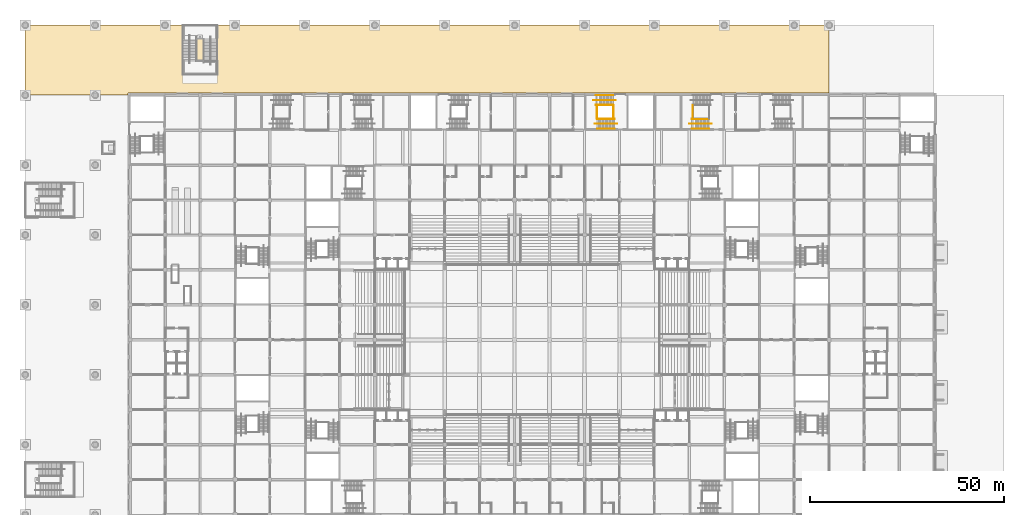
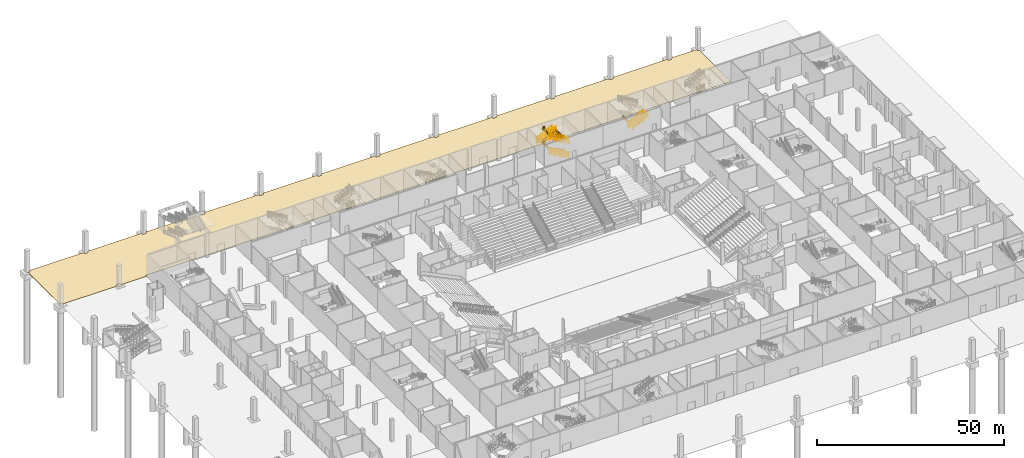
# One storey, part 88 of 92: 19 railings, 1 covering.
"""IFC4 building model written with IfcOpenShell, lengths in metres."""

import ifcopenshell
import ifcopenshell.guid

model = None  # the IFC model being written
_history = None  # IfcOwnerHistory: only IFC2X3 demands one
_inside = {}  # id of a spatial element -> (the spatial element, [elements in it])
_under = {}  # id of a project, library or spatial element -> (it, [spatial elements below it])
_declared = {}  # id of a project -> (the project, [libraries it declares])
_typed = {}  # id of a type object -> (the type object, [elements of that type])
_made_of = {}  # id of a material, layer set ... -> (it, [elements and type objects made of it])


def new_model(schema):
    """Start an empty IFC model of exactly this schema.

    Asked for "IFC4X3", IfcOpenShell would pick the latest addendum, in which some entities
    have other attributes; the version numbers below select the first issue.
    IFC2X3 requires an IfcOwnerHistory on every rooted entity: one is made here for all.
    """
    global model, _history
    if schema == "IFC4X3":
        model = ifcopenshell.file(schema_version=(4, 3, 0, 0))
    else:
        model = ifcopenshell.file(schema=schema)
    _inside.clear()
    _under.clear()
    _declared.clear()
    _typed.clear()
    _made_of.clear()
    _history = None
    if model.schema == "IFC2X3":
        org = make("IfcOrganization", Name="unknown")
        user = make(
            "IfcPersonAndOrganization",
            ThePerson=make("IfcPerson", FamilyName="unknown"),
            TheOrganization=org,
        )
        app = make(
            "IfcApplication",
            ApplicationDeveloper=org,
            Version="unknown",
            ApplicationFullName="unknown",
            ApplicationIdentifier="unknown",
        )
        _history = make(
            "IfcOwnerHistory",
            OwningUser=user,
            OwningApplication=app,
            ChangeAction="ADDED",
            CreationDate=0,
        )
    return model


def make(cls, **values):
    """One entity of the class cls with the attributes given. An attribute that is None is left unset."""
    return model.create_entity(
        cls, **{name: value for name, value in values.items() if value is not None}
    )


def rooted(cls, **values):
    """An entity with a GlobalId (a new one), such as an element, a storey or a relation."""
    return make(cls, GlobalId=ifcopenshell.guid.new(), OwnerHistory=_history, **values)


def si_unit(unit_type, name, prefix=None):
    """IfcSIUnit, for example si_unit("LENGTHUNIT", "METRE", prefix="MILLI")."""
    return make("IfcSIUnit", UnitType=unit_type, Prefix=prefix, Name=name)


def assignment(units):
    """IfcUnitAssignment: the units of a project."""
    return None if units is None else make("IfcUnitAssignment", Units=units)


def point(xyz):
    """IfcCartesianPoint."""
    return None if xyz is None else make("IfcCartesianPoint", Coordinates=xyz)


def direction(xyz):
    """IfcDirection."""
    return None if xyz is None else make("IfcDirection", DirectionRatios=xyz)


def frame(location, z_axis=None, x_axis=None):
    """IfcAxis2Placement3D, a coordinate frame: its origin and axes. An axis left out is left unset."""
    return make(
        "IfcAxis2Placement3D",
        Location=point(location),
        Axis=direction(z_axis),
        RefDirection=direction(x_axis),
    )


def frame_2d(location, x_axis=None):
    """IfcAxis2Placement2D, a coordinate frame in the plane: its origin and x axis."""
    return make(
        "IfcAxis2Placement2D", Location=point(location), RefDirection=direction(x_axis)
    )


def origin():
    """The frame at (0, 0, 0) with its axes left unset."""
    return frame((0.0, 0.0, 0.0))


def origin_2d():
    """The frame at (0, 0) in the plane with its x axis left unset."""
    return frame_2d((0.0, 0.0))


def place(relative_to, where):
    """IfcLocalPlacement: puts the frame where relative to a parent placement (None: the world)."""
    return make(
        "IfcLocalPlacement", PlacementRelTo=relative_to, RelativePlacement=where
    )


def context(
    kind, dimensions, precision=None, world=None, true_north=None, identifier=None
):
    """IfcGeometricRepresentationContext, for example the 3D "Model" context."""
    return make(
        "IfcGeometricRepresentationContext",
        ContextIdentifier=identifier,
        ContextType=kind,
        CoordinateSpaceDimension=dimensions,
        Precision=precision,
        WorldCoordinateSystem=world,
        TrueNorth=true_north,
    )


def subcontext(parent, identifier, kind, view, scale=None):
    """IfcGeometricRepresentationSubContext, for example "Body" below "Model"."""
    return make(
        "IfcGeometricRepresentationSubContext",
        ContextIdentifier=identifier,
        ContextType=kind,
        ParentContext=parent,
        TargetScale=scale,
        TargetView=view,
    )


def project(units=None, contexts=None):
    """IfcProject with its units and contexts."""
    return rooted(
        "IfcProject",
        Name="project",
        RepresentationContexts=contexts,
        UnitsInContext=assignment(units),
    )


def spatial(cls, under=None, at=None, **own):
    """A site, building, storey or space (cls), placed at a placement, below another one or the project."""
    s = rooted(cls, ObjectPlacement=at, **own)
    if under is not None:
        _under.setdefault(under.id(), (under, []))[1].append(s)
    return s


def polyline(points):
    """IfcPolyline through the points."""
    return make("IfcPolyline", Points=[point(p) for p in points])


def profile(cls, at=None, kind="AREA", **sizes):
    """A parametric profile (cls). Its sizes go by their IFC names, for example OverallWidth=200.0."""
    return make(cls, ProfileType=kind, Position=at, **sizes)


def circle(**sizes):
    """IfcCircleProfileDef."""
    return profile("IfcCircleProfileDef", **sizes)


def outline(outer, holes=None, kind="AREA"):
    """IfcArbitraryClosedProfileDef: a profile drawn as a closed curve; with holes, ...WithVoids."""
    if holes is None:
        return make("IfcArbitraryClosedProfileDef", ProfileType=kind, OuterCurve=outer)
    return make(
        "IfcArbitraryProfileDefWithVoids",
        ProfileType=kind,
        OuterCurve=outer,
        InnerCurves=holes,
    )


def extrude(swept, where, along, depth):
    """IfcExtrudedAreaSolid: the profile swept, set in the frame where, extruded along a direction by depth."""
    return make(
        "IfcExtrudedAreaSolid",
        SweptArea=swept,
        Position=where,
        ExtrudedDirection=direction(along),
        Depth=depth,
    )


def shape(context_of_items, identifier, shape_type, items):
    """IfcShapeRepresentation: the items that make up one representation, for example the "Body"."""
    return make(
        "IfcShapeRepresentation",
        ContextOfItems=context_of_items,
        RepresentationIdentifier=identifier,
        RepresentationType=shape_type,
        Items=items,
    )


def material(Name=None, Category=None):
    """IfcMaterial."""
    return make("IfcMaterial", Name=Name, Category=Category)


def layer(
    of_material, thickness, ventilated=None, Name=None, Category=None, Priority=None
):
    """IfcMaterialLayer: one layer of a wall or slab, of a material (None: an air gap)."""
    return make(
        "IfcMaterialLayer",
        Material=of_material,
        LayerThickness=thickness,
        IsVentilated=ventilated,
        Name=Name,
        Category=Category,
        Priority=Priority,
    )


def layer_set(layers, Name=None):
    """IfcMaterialLayerSet."""
    return make("IfcMaterialLayerSet", MaterialLayers=layers, LayerSetName=Name)


def made_of(thing, what):
    """Note that an element or type object is made of a material, layer set ...; save() writes the relation."""
    if what is not None:
        _made_of.setdefault(what.id(), (what, []))[1].append(thing)
    return thing


def type_object(cls, material=None, **own):
    """A type object (cls), such as IfcWallType, which elements share."""
    return made_of(rooted(cls, **own), material)


def element(
    cls,
    number,
    at=None,
    inside=None,
    cuts=None,
    type_object=None,
    material=None,
    context=None,
    identifier="Body",
    shape_type=None,
    held_by="IfcProductDefinitionShape",
    body=None,
    shapes=None,
    **own,
):
    """One element of the class cls, such as IfcWall. Its Tag is "e" and its number.

    at: its placement. inside: the storey or other place that contains it. cuts: it is an
    opening in that element (IfcRelVoidsElement). A single representation is given by context,
    identifier, shape_type and body (its items); several are given by shapes. held_by: the class
    of the entity that holds the representations. save() writes the other relations.
    """
    e = rooted(cls, Tag="e%d" % number, ObjectPlacement=at, **own)
    if body is not None:
        shapes = [shape(context, identifier, shape_type, body)]
    if shapes is not None:
        e.Representation = make(held_by, Representations=shapes)
    if inside is not None:
        _inside.setdefault(inside.id(), (inside, []))[1].append(e)
    if cuts is not None:
        rooted(
            "IfcRelVoidsElement", RelatingBuildingElement=cuts, RelatedOpeningElement=e
        )
    if type_object is not None:
        _typed.setdefault(type_object.id(), (type_object, []))[1].append(e)
    return made_of(e, material)


def aggregate(whole, parts):
    """IfcRelAggregates: a whole, such as a stair, and the parts it consists of."""
    return rooted("IfcRelAggregates", RelatingObject=whole, RelatedObjects=parts)


def save(model, path):
    """Write the relations noted so far, then the file.

    IfcRelAggregates (storeys below a building ...), IfcRelContainedInSpatialStructure (elements
    in a storey), IfcRelDefinesByType, IfcRelAssociatesMaterial and IfcRelDeclares: one each for
    every whole, place, type object, material and project.
    """
    for whole, parts in _under.values():
        aggregate(whole, parts)
    for where, things in _inside.values():
        rooted(
            "IfcRelContainedInSpatialStructure",
            RelatedElements=things,
            RelatingStructure=where,
        )
    for kind, things in _typed.values():
        rooted("IfcRelDefinesByType", RelatedObjects=things, RelatingType=kind)
    for what, things in _made_of.values():
        rooted("IfcRelAssociatesMaterial", RelatedObjects=things, RelatingMaterial=what)
    for by, libraries in _declared.values():
        rooted("IfcRelDeclares", RelatingContext=by, RelatedDefinitions=libraries)
    model.write(path)


model = new_model("IFC4")

# Units and contexts
model_context = context("Model", 3, precision=1e-05, world=origin(), true_north=direction((0.0, 1.0)))
body_context = subcontext(model_context, "Body", "Model", "MODEL_VIEW")
ifc_project = project(units=[si_unit("LENGTHUNIT", "METRE"), si_unit("AREAUNIT", "SQUARE_METRE"), si_unit("VOLUMEUNIT", "CUBIC_METRE"), si_unit("PLANEANGLEUNIT", "RADIAN"), si_unit("MASSUNIT", "GRAM", prefix="KILO")], contexts=[model_context])

# Site, building, storey
site_placement = place(None, origin())
site = spatial("IfcSite", under=ifc_project, at=site_placement, CompositionType="ELEMENT")
building_placement = place(site_placement, origin())
building = spatial("IfcBuilding", under=site, at=building_placement, Name="Silverbay Arena", CompositionType="ELEMENT")
storey_placement = place(building_placement, origin())
storey = spatial("IfcBuildingStorey", under=building, at=storey_placement, Name="L00", CompositionType="ELEMENT", Elevation=0.0)

# Covering
ifc_material_1 = material(Name="Granite paving slabs", Category="masonry")
ifc_layer = layer(ifc_material_1, 0.10009765625)
ifc_layer_set = layer_set([ifc_layer], Name="Granite paving slabs")
covering_type = type_object("IfcCoveringType", Name="Granite paving 100", PredefinedType="FLOORING", material=ifc_layer_set)
covering_placement = place(storey_placement, frame((0.0, 0.0, -0.10009765625)))
element("IfcCovering", 1, at=covering_placement, inside=storey, type_object=covering_type, Name="Paving north colonnade undercroft", PredefinedType="FLOORING", context=body_context, shape_type="SweptSolid", body=[
    extrude(outline(polyline([(0.0, 161.39990234375), (0.60009765625, 161.39990234375), (0.60009765625, 162.0), (17.39990234375, 162.0), (17.39990234375, 161.39990234375), (18.60009765625, 161.39990234375), (18.60009765625, 162.0), (35.39990234375, 162.0), (35.39990234375, 161.39990234375), (36.60009765625, 161.39990234375), (36.60009765625, 162.0), (53.39990234375, 162.0), (53.39990234375, 161.39990234375), (54.60009765625, 161.39990234375), (54.60009765625, 162.0), (71.39990234375, 162.0), (71.39990234375, 161.39990234375), (72.60009765625, 161.39990234375), (72.60009765625, 162.0), (89.39990234375, 162.0), (89.39990234375, 161.39990234375), (90.60009765625, 161.39990234375), (90.60009765625, 162.0), (107.39990234375, 162.0), (107.39990234375, 161.39990234375), (108.60009765625, 161.39990234375), (108.60009765625, 162.0), (125.39990234375, 162.0), (125.39990234375, 161.39990234375), (126.60009765625, 161.39990234375), (126.60009765625, 162.0), (143.39990234375, 162.0), (143.39990234375, 161.39990234375), (144.60009765625, 161.39990234375), (144.60009765625, 162.0), (161.39990234375, 162.0), (161.39990234375, 161.39990234375), (162.60009765625, 161.39990234375), (162.60009765625, 162.0), (179.39990234375, 162.0), (179.39990234375, 161.39990234375), (180.60009765625, 161.39990234375), (180.60009765625, 162.0), (197.39990234375, 162.0), (197.39990234375, 161.39990234375), (198.60009765625, 161.39990234375), (198.60009765625, 162.0), (206.39990234375, 162.0), (206.39990234375, 161.39990234375), (207.0, 161.39990234375), (207.0, 144.5), (135.5, 144.5), (134.5, 144.5), (126.5, 144.5), (125.5, 144.5), (26.5, 144.5), (26.5, 144.0), (18.60009765625, 144.0), (18.60009765625, 144.60009765625), (17.39990234375, 144.60009765625), (17.39990234375, 144.0), (0.60009765625, 144.0), (0.60009765625, 144.60009765625), (0.0, 144.60009765625), (0.0, 161.39990234375)])), origin(), (0.0, 0.0, 1.0), 0.10009765625),
])

# Railings
ifc_material_2 = material(Name="Stainless steel", Category="steel")
railing_type_1 = type_object("IfcRailingType", Name="Stair guard 1100", PredefinedType="GUARDRAIL", material=ifc_material_2)
railing_1_placement = place(storey_placement, frame((151.7431640625, 137.875, 0.145751953125)))
element("IfcRailing", 2, at=railing_1_placement, inside=storey, type_object=railing_type_1, Name="Stair ST-N3 L00 to L01 flight 1 guard right", PredefinedType="GUARDRAIL", context=body_context, shape_type="SweptSolid", body=[
    extrude(circle(Radius=0.02392578125, at=origin_2d()), frame((0.0, 0.0, 1.076171875), z_axis=(-0.899367854138, 0.0, 0.437192706873), x_axis=(0.0, -1.0, 0.0)), (0.0, 0.0, 1.0), 5.00341796875),
    extrude(outline(polyline([(-0.008056640625, 0.046142578125), (0.907958984375, 0.491455078125), (0.907958984375, 1.494384765625), (-0.008056640625, 1.049072265625), (-0.008056640625, 0.046142578125)])), frame((0.0, -0.0029296875, 0.0), z_axis=(0.0, 1.0, 0.0), x_axis=(-1.0, 0.0, 0.0)), (0.0, 0.0, 1.0), 0.006103515625),
    extrude(outline(polyline([(-0.008056640625, 0.483642578125), (0.907958984375, 0.928955078125), (0.907958984375, 1.931884765625), (-0.008056640625, 1.486572265625), (-0.008056640625, 0.483642578125)])), frame((-0.89990234375, -0.0029296875, 0.0), z_axis=(0.0, 1.0, 0.0), x_axis=(-1.0, 0.0, 0.0)), (0.0, 0.0, 1.0), 0.006103515625),
    extrude(outline(polyline([(-0.008056640625, 0.921142578125), (0.907958984375, 1.366455078125), (0.907958984375, 2.369384765625), (-0.008056640625, 1.924072265625), (-0.008056640625, 0.921142578125)])), frame((-1.800048828125, -0.0029296875, 0.0), z_axis=(0.0, 1.0, 0.0), x_axis=(-1.0, 0.0, 0.0)), (0.0, 0.0, 1.0), 0.006103515625),
    extrude(outline(polyline([(-0.008056640625, 1.358642578125), (0.907958984375, 1.803955078125), (0.907958984375, 2.806884765625), (-0.008056640625, 2.361572265625), (-0.008056640625, 1.358642578125)])), frame((-2.699951171875, -0.0029296875, 0.0), z_axis=(0.0, 1.0, 0.0), x_axis=(-1.0, 0.0, 0.0)), (0.0, 0.0, 1.0), 0.006103515625),
    extrude(outline(polyline([(-0.008056640625, 1.796142578125), (0.907958984375, 2.241455078125), (0.907958984375, 3.244384765625), (-0.008056640625, 2.799072265625), (-0.008056640625, 1.796142578125)])), frame((-3.60009765625, -0.0029296875, 0.0), z_axis=(0.0, 1.0, 0.0), x_axis=(-1.0, 0.0, 0.0)), (0.0, 0.0, 1.0), 0.006103515625),
    extrude(circle(Radius=0.02099609375, at=origin_2d()), origin(), (0.0, 0.0, 1.0), 1.052001953125),
    extrude(circle(Radius=0.02099609375, at=origin_2d()), frame((-0.89990234375, 0.0, 0.4375)), (0.0, 0.0, 1.0), 1.052001953125),
    extrude(circle(Radius=0.02099609375, at=origin_2d()), frame((-1.800048828125, 0.0, 0.875)), (0.0, 0.0, 1.0), 1.052001953125),
    extrude(circle(Radius=0.02099609375, at=origin_2d()), frame((-2.699951171875, 0.0, 1.3125)), (0.0, 0.0, 1.0), 1.052001953125),
    extrude(circle(Radius=0.02099609375, at=origin_2d()), frame((-3.60009765625, 0.0, 1.75)), (0.0, 0.0, 1.0), 1.052001953125),
    extrude(circle(Radius=0.02099609375, at=origin_2d()), frame((-4.5, 0.0, 2.1875)), (0.0, 0.0, 1.0), 1.052001953125),
])
railing_2_placement = place(storey_placement, frame((146.89990234375, 141.425048828125, 2.479248046875)))
element("IfcRailing", 3, at=railing_2_placement, inside=storey, type_object=railing_type_1, Name="Stair ST-N3 L00 to L01 flight 2 guard left", PredefinedType="GUARDRAIL", context=body_context, shape_type="SweptSolid", body=[
    extrude(circle(Radius=0.02392578125, at=origin_2d()), frame((0.0, 0.0, 1.076171875), z_axis=(0.899367854138, 0.0, 0.437192706873), x_axis=(0.0, 1.0, 0.0)), (0.0, 0.0, 1.0), 5.00341796875),
    extrude(outline(polyline([(-0.008056640625, 0.046142578125), (0.907958984375, 0.491455078125), (0.907958984375, 1.494384765625), (-0.008056640625, 1.049072265625), (-0.008056640625, 0.046142578125)])), frame((0.0, 0.0029296875, 0.0), z_axis=(0.0, -1.0, 0.0), x_axis=(1.0, 0.0, 0.0)), (0.0, 0.0, 1.0), 0.006103515625),
    extrude(outline(polyline([(-0.008056640625, 0.483642578125), (0.907958984375, 0.928955078125), (0.907958984375, 1.931884765625), (-0.008056640625, 1.486572265625), (-0.008056640625, 0.483642578125)])), frame((0.89990234375, 0.0029296875, 0.0), z_axis=(0.0, -1.0, 0.0), x_axis=(1.0, 0.0, 0.0)), (0.0, 0.0, 1.0), 0.006103515625),
    extrude(outline(polyline([(-0.008056640625, 0.921142578125), (0.907958984375, 1.366455078125), (0.907958984375, 2.369384765625), (-0.008056640625, 1.924072265625), (-0.008056640625, 0.921142578125)])), frame((1.800048828125, 0.0029296875, 0.0), z_axis=(0.0, -1.0, 0.0), x_axis=(1.0, 0.0, 0.0)), (0.0, 0.0, 1.0), 0.006103515625),
    extrude(outline(polyline([(-0.008056640625, 1.358642578125), (0.907958984375, 1.803955078125), (0.907958984375, 2.806884765625), (-0.008056640625, 2.361572265625), (-0.008056640625, 1.358642578125)])), frame((2.699951171875, 0.0029296875, 0.0), z_axis=(0.0, -1.0, 0.0), x_axis=(1.0, 0.0, 0.0)), (0.0, 0.0, 1.0), 0.006103515625),
    extrude(outline(polyline([(-0.008056640625, 1.796142578125), (0.907958984375, 2.241455078125), (0.907958984375, 3.244384765625), (-0.008056640625, 2.799072265625), (-0.008056640625, 1.796142578125)])), frame((3.60009765625, 0.0029296875, 0.0), z_axis=(0.0, -1.0, 0.0), x_axis=(1.0, 0.0, 0.0)), (0.0, 0.0, 1.0), 0.006103515625),
    extrude(circle(Radius=0.02099609375, at=origin_2d()), origin(), (0.0, 0.0, 1.0), 1.052001953125),
    extrude(circle(Radius=0.02099609375, at=origin_2d()), frame((0.89990234375, 0.0, 0.4375)), (0.0, 0.0, 1.0), 1.052001953125),
    extrude(circle(Radius=0.02099609375, at=origin_2d()), frame((1.800048828125, 0.0, 0.875)), (0.0, 0.0, 1.0), 1.052001953125),
    extrude(circle(Radius=0.02099609375, at=origin_2d()), frame((2.699951171875, 0.0, 1.3125)), (0.0, 0.0, 1.0), 1.052001953125),
    extrude(circle(Radius=0.02099609375, at=origin_2d()), frame((3.60009765625, 0.0, 1.75)), (0.0, 0.0, 1.0), 1.052001953125),
    extrude(circle(Radius=0.02099609375, at=origin_2d()), frame((4.5, 0.0, 2.1875)), (0.0, 0.0, 1.0), 1.052001953125),
])
railing_3_placement = place(storey_placement, frame((151.7431640625, 137.875, 4.8125)))
element("IfcRailing", 4, at=railing_3_placement, inside=storey, type_object=railing_type_1, Name="Stair ST-N3 L00 to L01 flight 3 guard right", PredefinedType="GUARDRAIL", context=body_context, shape_type="SweptSolid", body=[
    extrude(circle(Radius=0.02392578125, at=origin_2d()), frame((0.0, 0.0, 1.076171875), z_axis=(-0.899367854138, 0.0, 0.437192706873), x_axis=(0.0, -1.0, 0.0)), (0.0, 0.0, 1.0), 5.00341796875),
    extrude(outline(polyline([(-0.008056640625, 0.046142578125), (0.907958984375, 0.491455078125), (0.907958984375, 1.494384765625), (-0.008056640625, 1.049072265625), (-0.008056640625, 0.046142578125)])), frame((0.0, -0.0029296875, 0.0), z_axis=(0.0, 1.0, 0.0), x_axis=(-1.0, 0.0, 0.0)), (0.0, 0.0, 1.0), 0.006103515625),
    extrude(outline(polyline([(-0.008056640625, 0.483642578125), (0.907958984375, 0.928955078125), (0.907958984375, 1.931884765625), (-0.008056640625, 1.486572265625), (-0.008056640625, 0.483642578125)])), frame((-0.89990234375, -0.0029296875, 0.0), z_axis=(0.0, 1.0, 0.0), x_axis=(-1.0, 0.0, 0.0)), (0.0, 0.0, 1.0), 0.006103515625),
    extrude(outline(polyline([(-0.008056640625, 0.921142578125), (0.907958984375, 1.366455078125), (0.907958984375, 2.369384765625), (-0.008056640625, 1.924072265625), (-0.008056640625, 0.921142578125)])), frame((-1.800048828125, -0.0029296875, 0.0), z_axis=(0.0, 1.0, 0.0), x_axis=(-1.0, 0.0, 0.0)), (0.0, 0.0, 1.0), 0.006103515625),
    extrude(outline(polyline([(-0.008056640625, 1.358642578125), (0.907958984375, 1.803955078125), (0.907958984375, 2.806884765625), (-0.008056640625, 2.361572265625), (-0.008056640625, 1.358642578125)])), frame((-2.699951171875, -0.0029296875, 0.0), z_axis=(0.0, 1.0, 0.0), x_axis=(-1.0, 0.0, 0.0)), (0.0, 0.0, 1.0), 0.006103515625),
    extrude(outline(polyline([(-0.008056640625, 1.796142578125), (0.907958984375, 2.241455078125), (0.907958984375, 3.244384765625), (-0.008056640625, 2.799072265625), (-0.008056640625, 1.796142578125)])), frame((-3.60009765625, -0.0029296875, 0.0), z_axis=(0.0, 1.0, 0.0), x_axis=(-1.0, 0.0, 0.0)), (0.0, 0.0, 1.0), 0.006103515625),
    extrude(circle(Radius=0.02099609375, at=origin_2d()), origin(), (0.0, 0.0, 1.0), 1.052001953125),
    extrude(circle(Radius=0.02099609375, at=origin_2d()), frame((-0.89990234375, 0.0, 0.4375)), (0.0, 0.0, 1.0), 1.052001953125),
    extrude(circle(Radius=0.02099609375, at=origin_2d()), frame((-1.800048828125, 0.0, 0.875)), (0.0, 0.0, 1.0), 1.052001953125),
    extrude(circle(Radius=0.02099609375, at=origin_2d()), frame((-2.699951171875, 0.0, 1.3125)), (0.0, 0.0, 1.0), 1.052001953125),
    extrude(circle(Radius=0.02099609375, at=origin_2d()), frame((-3.60009765625, 0.0, 1.75)), (0.0, 0.0, 1.0), 1.052001953125),
    extrude(circle(Radius=0.02099609375, at=origin_2d()), frame((-4.5, 0.0, 2.1875)), (0.0, 0.0, 1.0), 1.052001953125),
])
for number, where, name in (
    (5, (147.193115234375, 137.89990234375, 2.333251953125), "Stair ST-N3 L00 to L01 landing 1 guard"),
    (6, (151.449951171875, 137.89990234375, 4.666748046875), "Stair ST-N3 L00 to L01 landing 2 guard"),
):
    element("IfcRailing", number, at=place(storey_placement, frame(where)), inside=storey, type_object=railing_type_1, Name=name, PredefinedType="GUARDRAIL", context=body_context, shape_type="SweptSolid", body=[
        extrude(circle(Radius=0.02392578125, at=origin_2d()), frame((0.0, 0.0, 1.076171875), z_axis=(0.0, 1.0, 0.0), x_axis=(-1.0, 0.0, 0.0)), (0.0, 0.0, 1.0), 3.5),
        extrude(outline(polyline([(-0.008056640625, 0.050048828125), (1.174560546875, 0.050048828125), (1.174560546875, 1.052978515625), (-0.008056640625, 1.052978515625), (-0.008056640625, 0.050048828125)])), frame((-0.0029296875, 0.0, 0.0), z_axis=(1.0, 0.0, 0.0), x_axis=(0.0, 1.0, 0.0)), (0.0, 0.0, 1.0), 0.006103515625),
        extrude(outline(polyline([(-0.008056640625, 0.050048828125), (1.174560546875, 0.050048828125), (1.174560546875, 1.052978515625), (-0.008056640625, 1.052978515625), (-0.008056640625, 0.050048828125)])), frame((-0.0029296875, 1.166748046875, 0.0), z_axis=(1.0, 0.0, 0.0), x_axis=(0.0, 1.0, 0.0)), (0.0, 0.0, 1.0), 0.006103515625),
        extrude(outline(polyline([(-0.008056640625, 0.050048828125), (1.174560546875, 0.050048828125), (1.174560546875, 1.052978515625), (-0.008056640625, 1.052978515625), (-0.008056640625, 0.050048828125)])), frame((-0.0029296875, 2.333251953125, 0.0), z_axis=(1.0, 0.0, 0.0), x_axis=(0.0, 1.0, 0.0)), (0.0, 0.0, 1.0), 0.006103515625),
        extrude(circle(Radius=0.02099609375, at=origin_2d()), origin(), (0.0, 0.0, 1.0), 1.052001953125),
        extrude(circle(Radius=0.02099609375, at=origin_2d()), frame((0.0, 1.166748046875, 0.0)), (0.0, 0.0, 1.0), 1.052001953125),
        extrude(circle(Radius=0.02099609375, at=origin_2d()), frame((0.0, 2.333251953125, 0.0)), (0.0, 0.0, 1.0), 1.052001953125),
        extrude(circle(Radius=0.02099609375, at=origin_2d()), frame((0.0, 3.5, 0.0)), (0.0, 0.0, 1.0), 1.052001953125),
    ])
railing_4_placement = place(storey_placement, frame((147.85009765625, 141.449951171875, 7.0)))
element("IfcRailing", 7, at=railing_4_placement, inside=storey, type_object=railing_type_1, Name="Stair ST-N3 L00 to L01 landing 3 guard", PredefinedType="GUARDRAIL", context=body_context, shape_type="SweptSolid", body=[
    extrude(circle(Radius=0.02392578125, at=origin_2d()), frame((0.0, 0.0, 1.076171875), z_axis=(-1.0, 0.0, 0.0), x_axis=(0.0, -1.0, 0.0)), (0.0, 0.0, 1.0), 0.60693359375),
    extrude(outline(polyline([(-0.008056640625, 0.050048828125), (0.614990234375, 0.050048828125), (0.614990234375, 1.052978515625), (-0.008056640625, 1.052978515625), (-0.008056640625, 0.050048828125)])), frame((0.0, -0.0029296875, 0.0), z_axis=(0.0, 1.0, 0.0), x_axis=(-1.0, 0.0, 0.0)), (0.0, 0.0, 1.0), 0.006103515625),
    extrude(circle(Radius=0.02392578125, at=origin_2d()), frame((-0.60693359375, 0.0, 1.076171875), z_axis=(0.0, -1.0, 0.0), x_axis=(1.0, 0.0, 0.0)), (0.0, 0.0, 1.0), 3.550048828125),
    extrude(outline(polyline([(-0.008056640625, 0.050048828125), (1.19140625, 0.050048828125), (1.19140625, 1.052978515625), (-0.008056640625, 1.052978515625), (-0.008056640625, 0.050048828125)])), frame((-0.60400390625, 0.0, 0.0), z_axis=(-1.0, 0.0, 0.0), x_axis=(0.0, -1.0, 0.0)), (0.0, 0.0, 1.0), 0.006103515625),
    extrude(outline(polyline([(-0.008056640625, 0.050048828125), (1.19140625, 0.050048828125), (1.19140625, 1.052978515625), (-0.008056640625, 1.052978515625), (-0.008056640625, 0.050048828125)])), frame((-0.60400390625, -1.183349609375, 0.0), z_axis=(-1.0, 0.0, 0.0), x_axis=(0.0, -1.0, 0.0)), (0.0, 0.0, 1.0), 0.006103515625),
    extrude(outline(polyline([(-0.008056640625, 0.050048828125), (1.19140625, 0.050048828125), (1.19140625, 1.052978515625), (-0.008056640625, 1.052978515625), (-0.008056640625, 0.050048828125)])), frame((-0.60400390625, -2.36669921875, 0.0), z_axis=(-1.0, 0.0, 0.0), x_axis=(0.0, -1.0, 0.0)), (0.0, 0.0, 1.0), 0.006103515625),
    extrude(circle(Radius=0.02099609375, at=origin_2d()), origin(), (0.0, 0.0, 1.0), 1.052001953125),
    extrude(circle(Radius=0.02099609375, at=origin_2d()), frame((-0.60693359375, 0.0, 0.0)), (0.0, 0.0, 1.0), 1.052001953125),
    extrude(circle(Radius=0.02099609375, at=origin_2d()), frame((-0.60693359375, -1.183349609375, 0.0)), (0.0, 0.0, 1.0), 1.052001953125),
    extrude(circle(Radius=0.02099609375, at=origin_2d()), frame((-0.60693359375, -2.36669921875, 0.0)), (0.0, 0.0, 1.0), 1.052001953125),
    extrude(circle(Radius=0.02099609375, at=origin_2d()), frame((-0.60693359375, -3.550048828125, 0.0)), (0.0, 0.0, 1.0), 1.052001953125),
])
railing_5_placement = place(storey_placement, frame((171.89306640625, 137.89990234375, 2.333251953125)))
element("IfcRailing", 8, at=railing_5_placement, inside=storey, type_object=railing_type_1, Name="Stair ST-N4 L00 to L01 landing 1 guard", PredefinedType="GUARDRAIL", context=body_context, shape_type="SweptSolid", body=[
    extrude(circle(Radius=0.02392578125, at=origin_2d()), frame((0.0, 0.0, 1.076171875), z_axis=(0.0, 1.0, 0.0), x_axis=(-1.0, 0.0, 0.0)), (0.0, 0.0, 1.0), 3.5),
    extrude(outline(polyline([(-0.008056640625, 0.050048828125), (1.174560546875, 0.050048828125), (1.174560546875, 1.052978515625), (-0.008056640625, 1.052978515625), (-0.008056640625, 0.050048828125)])), frame((-0.0029296875, 0.0, 0.0), z_axis=(1.0, 0.0, 0.0), x_axis=(0.0, 1.0, 0.0)), (0.0, 0.0, 1.0), 0.006103515625),
    extrude(outline(polyline([(-0.008056640625, 0.050048828125), (1.174560546875, 0.050048828125), (1.174560546875, 1.052978515625), (-0.008056640625, 1.052978515625), (-0.008056640625, 0.050048828125)])), frame((-0.0029296875, 1.166748046875, 0.0), z_axis=(1.0, 0.0, 0.0), x_axis=(0.0, 1.0, 0.0)), (0.0, 0.0, 1.0), 0.006103515625),
    extrude(outline(polyline([(-0.008056640625, 0.050048828125), (1.174560546875, 0.050048828125), (1.174560546875, 1.052978515625), (-0.008056640625, 1.052978515625), (-0.008056640625, 0.050048828125)])), frame((-0.0029296875, 2.333251953125, 0.0), z_axis=(1.0, 0.0, 0.0), x_axis=(0.0, 1.0, 0.0)), (0.0, 0.0, 1.0), 0.006103515625),
    extrude(circle(Radius=0.02099609375, at=origin_2d()), origin(), (0.0, 0.0, 1.0), 1.052001953125),
    extrude(circle(Radius=0.02099609375, at=origin_2d()), frame((0.0, 1.166748046875, 0.0)), (0.0, 0.0, 1.0), 1.052001953125),
    extrude(circle(Radius=0.02099609375, at=origin_2d()), frame((0.0, 2.333251953125, 0.0)), (0.0, 0.0, 1.0), 1.052001953125),
    extrude(circle(Radius=0.02099609375, at=origin_2d()), frame((0.0, 3.5, 0.0)), (0.0, 0.0, 1.0), 1.052001953125),
])
ifc_material_3 = material(Name="Stainless steel", Category="steel")
railing_type_2 = type_object("IfcRailingType", Name="Stair handrail 900", PredefinedType="HANDRAIL", material=ifc_material_3)
for number, where, name in (
    (9, (151.7431640625, 135.35009765625, 0.145751953125), "Stair ST-N3 L00 to L01 flight 1 handrail left"),
    (10, (151.7431640625, 137.8359375, 0.145751953125), "Stair ST-N3 L00 to L01 flight 1 handrail right"),
):
    element("IfcRailing", number, at=place(storey_placement, frame(where)), inside=storey, type_object=railing_type_2, Name=name, PredefinedType="HANDRAIL", context=body_context, shape_type="SweptSolid", body=[
        extrude(circle(Radius=0.02392578125, at=origin_2d()), frame((0.0, 0.0, 0.8759765625), z_axis=(-0.899367854138, 0.0, 0.437192706873), x_axis=(0.0, -1.0, 0.0)), (0.0, 0.0, 1.0), 5.00341796875),
        extrude(circle(Radius=0.02099609375, at=origin_2d()), origin(), (0.0, 0.0, 1.0), 0.851806640625),
        extrude(circle(Radius=0.02099609375, at=origin_2d()), frame((-0.89990234375, 0.0, 0.4375)), (0.0, 0.0, 1.0), 0.851806640625),
        extrude(circle(Radius=0.02099609375, at=origin_2d()), frame((-1.800048828125, 0.0, 0.875)), (0.0, 0.0, 1.0), 0.851806640625),
        extrude(circle(Radius=0.02099609375, at=origin_2d()), frame((-2.699951171875, 0.0, 1.3125)), (0.0, 0.0, 1.0), 0.851806640625),
        extrude(circle(Radius=0.02099609375, at=origin_2d()), frame((-3.60009765625, 0.0, 1.75)), (0.0, 0.0, 1.0), 0.851806640625),
        extrude(circle(Radius=0.02099609375, at=origin_2d()), frame((-4.5, 0.0, 2.1875)), (0.0, 0.0, 1.0), 0.851806640625),
    ])
railing_6_placement = place(storey_placement, frame((152.343017578125, 136.60009765625, 0.0)))
element("IfcRailing", 11, at=railing_6_placement, inside=storey, type_object=railing_type_2, Name="Stair ST-N3 L00 to L01 flight 1 central handrail", PredefinedType="HANDRAIL", context=body_context, shape_type="SweptSolid", body=[
    extrude(circle(Radius=0.02392578125, at=origin_2d()), frame((0.0, 0.0, 0.8759765625), z_axis=(-0.971726487806, 0.0, 0.23610936639), x_axis=(0.0, -1.0, 0.0)), (0.0, 0.0, 1.0), 0.6171875),
    extrude(circle(Radius=0.02392578125, at=origin_2d()), frame((-0.599853515625, 0.0, 1.021484375), z_axis=(-0.899367854138, 0.0, 0.437192706873), x_axis=(0.0, -1.0, 0.0)), (0.0, 0.0, 1.0), 5.00341796875),
    extrude(circle(Radius=0.02392578125, at=origin_2d()), frame((-5.099853515625, 0.0, 3.208984375), z_axis=(-1.0, 0.0, 0.0), x_axis=(0.0, -1.0, 0.0)), (0.0, 0.0, 1.0), 0.60009765625),
    extrude(circle(Radius=0.02099609375, at=origin_2d()), origin(), (0.0, 0.0, 1.0), 0.851806640625),
    extrude(circle(Radius=0.02099609375, at=origin_2d()), frame((-0.599853515625, 0.0, 0.145751953125)), (0.0, 0.0, 1.0), 0.851806640625),
    extrude(circle(Radius=0.02099609375, at=origin_2d()), frame((-1.499755859375, 0.0, 0.583251953125)), (0.0, 0.0, 1.0), 0.851806640625),
    extrude(circle(Radius=0.02099609375, at=origin_2d()), frame((-2.39990234375, 0.0, 1.020751953125)), (0.0, 0.0, 1.0), 0.851806640625),
    extrude(circle(Radius=0.02099609375, at=origin_2d()), frame((-3.2998046875, 0.0, 1.458251953125)), (0.0, 0.0, 1.0), 0.851806640625),
    extrude(circle(Radius=0.02099609375, at=origin_2d()), frame((-4.199951171875, 0.0, 1.895751953125)), (0.0, 0.0, 1.0), 0.851806640625),
    extrude(circle(Radius=0.02099609375, at=origin_2d()), frame((-5.099853515625, 0.0, 2.333251953125)), (0.0, 0.0, 1.0), 0.851806640625),
    extrude(circle(Radius=0.02099609375, at=origin_2d()), frame((-5.699951171875, 0.0, 2.333251953125)), (0.0, 0.0, 1.0), 0.851806640625),
])
for number, where, name in (
    (12, (146.89990234375, 141.464111328125, 2.479248046875), "Stair ST-N3 L00 to L01 flight 2 handrail left"),
    (13, (146.89990234375, 143.949951171875, 2.479248046875), "Stair ST-N3 L00 to L01 flight 2 handrail right"),
):
    element("IfcRailing", number, at=place(storey_placement, frame(where)), inside=storey, type_object=railing_type_2, Name=name, PredefinedType="HANDRAIL", context=body_context, shape_type="SweptSolid", body=[
        extrude(circle(Radius=0.02392578125, at=origin_2d()), frame((0.0, 0.0, 0.8759765625), z_axis=(0.899367854138, 0.0, 0.437192706873), x_axis=(0.0, 1.0, 0.0)), (0.0, 0.0, 1.0), 5.00341796875),
        extrude(circle(Radius=0.02099609375, at=origin_2d()), origin(), (0.0, 0.0, 1.0), 0.851806640625),
        extrude(circle(Radius=0.02099609375, at=origin_2d()), frame((0.89990234375, 0.0, 0.4375)), (0.0, 0.0, 1.0), 0.851806640625),
        extrude(circle(Radius=0.02099609375, at=origin_2d()), frame((1.800048828125, 0.0, 0.875)), (0.0, 0.0, 1.0), 0.851806640625),
        extrude(circle(Radius=0.02099609375, at=origin_2d()), frame((2.699951171875, 0.0, 1.3125)), (0.0, 0.0, 1.0), 0.851806640625),
        extrude(circle(Radius=0.02099609375, at=origin_2d()), frame((3.60009765625, 0.0, 1.75)), (0.0, 0.0, 1.0), 0.851806640625),
        extrude(circle(Radius=0.02099609375, at=origin_2d()), frame((4.5, 0.0, 2.1875)), (0.0, 0.0, 1.0), 0.851806640625),
    ])
railing_7_placement = place(storey_placement, frame((146.300048828125, 142.699951171875, 2.333251953125)))
element("IfcRailing", 14, at=railing_7_placement, inside=storey, type_object=railing_type_2, Name="Stair ST-N3 L00 to L01 flight 2 central handrail", PredefinedType="HANDRAIL", context=body_context, shape_type="SweptSolid", body=[
    extrude(circle(Radius=0.02392578125, at=origin_2d()), frame((0.0, 0.0, 0.8759765625), z_axis=(0.971635685089, 0.0, 0.236482759334), x_axis=(0.0, 1.0, 0.0)), (0.0, 0.0, 1.0), 0.617431640625),
    extrude(circle(Radius=0.02392578125, at=origin_2d()), frame((0.599853515625, 0.0, 1.02197265625), z_axis=(0.899367854138, 0.0, 0.437192706873), x_axis=(0.0, 1.0, 0.0)), (0.0, 0.0, 1.0), 5.00341796875),
    extrude(circle(Radius=0.02392578125, at=origin_2d()), frame((5.099853515625, 0.0, 3.20947265625), z_axis=(1.0, 0.0, 0.0), x_axis=(0.0, 1.0, 0.0)), (0.0, 0.0, 1.0), 0.60009765625),
    extrude(circle(Radius=0.02099609375, at=origin_2d()), origin(), (0.0, 0.0, 1.0), 0.851806640625),
    extrude(circle(Radius=0.02099609375, at=origin_2d()), frame((0.599853515625, 0.0, 0.14599609375)), (0.0, 0.0, 1.0), 0.851806640625),
    extrude(circle(Radius=0.02099609375, at=origin_2d()), frame((1.499755859375, 0.0, 0.58349609375)), (0.0, 0.0, 1.0), 0.851806640625),
    extrude(circle(Radius=0.02099609375, at=origin_2d()), frame((2.39990234375, 0.0, 1.02099609375)), (0.0, 0.0, 1.0), 0.851806640625),
    extrude(circle(Radius=0.02099609375, at=origin_2d()), frame((3.2998046875, 0.0, 1.45849609375)), (0.0, 0.0, 1.0), 0.851806640625),
    extrude(circle(Radius=0.02099609375, at=origin_2d()), frame((4.199951171875, 0.0, 1.89599609375)), (0.0, 0.0, 1.0), 0.851806640625),
    extrude(circle(Radius=0.02099609375, at=origin_2d()), frame((5.099853515625, 0.0, 2.33349609375)), (0.0, 0.0, 1.0), 0.851806640625),
    extrude(circle(Radius=0.02099609375, at=origin_2d()), frame((5.699951171875, 0.0, 2.33349609375)), (0.0, 0.0, 1.0), 0.851806640625),
])
for number, where, name in (
    (15, (151.7431640625, 135.35009765625, 4.8125), "Stair ST-N3 L00 to L01 flight 3 handrail left"),
    (16, (151.7431640625, 137.8359375, 4.8125), "Stair ST-N3 L00 to L01 flight 3 handrail right"),
):
    element("IfcRailing", number, at=place(storey_placement, frame(where)), inside=storey, type_object=railing_type_2, Name=name, PredefinedType="HANDRAIL", context=body_context, shape_type="SweptSolid", body=[
        extrude(circle(Radius=0.02392578125, at=origin_2d()), frame((0.0, 0.0, 0.8759765625), z_axis=(-0.899367854138, 0.0, 0.437192706873), x_axis=(0.0, -1.0, 0.0)), (0.0, 0.0, 1.0), 5.00341796875),
        extrude(circle(Radius=0.02099609375, at=origin_2d()), origin(), (0.0, 0.0, 1.0), 0.851806640625),
        extrude(circle(Radius=0.02099609375, at=origin_2d()), frame((-0.89990234375, 0.0, 0.4375)), (0.0, 0.0, 1.0), 0.851806640625),
        extrude(circle(Radius=0.02099609375, at=origin_2d()), frame((-1.800048828125, 0.0, 0.875)), (0.0, 0.0, 1.0), 0.851806640625),
        extrude(circle(Radius=0.02099609375, at=origin_2d()), frame((-2.699951171875, 0.0, 1.3125)), (0.0, 0.0, 1.0), 0.851806640625),
        extrude(circle(Radius=0.02099609375, at=origin_2d()), frame((-3.60009765625, 0.0, 1.75)), (0.0, 0.0, 1.0), 0.851806640625),
        extrude(circle(Radius=0.02099609375, at=origin_2d()), frame((-4.5, 0.0, 2.1875)), (0.0, 0.0, 1.0), 0.851806640625),
    ])
railing_8_placement = place(storey_placement, frame((152.343017578125, 136.60009765625, 4.666748046875)))
element("IfcRailing", 17, at=railing_8_placement, inside=storey, type_object=railing_type_2, Name="Stair ST-N3 L00 to L01 flight 3 central handrail", PredefinedType="HANDRAIL", context=body_context, shape_type="SweptSolid", body=[
    extrude(circle(Radius=0.02392578125, at=origin_2d()), frame((0.0, 0.0, 0.8759765625), z_axis=(-0.971726487806, 0.0, 0.23610936639), x_axis=(0.0, -1.0, 0.0)), (0.0, 0.0, 1.0), 0.6171875),
    extrude(circle(Radius=0.02392578125, at=origin_2d()), frame((-0.599853515625, 0.0, 1.021484375), z_axis=(-0.899367854138, 0.0, 0.437192706873), x_axis=(0.0, -1.0, 0.0)), (0.0, 0.0, 1.0), 5.00341796875),
    extrude(circle(Radius=0.02392578125, at=origin_2d()), frame((-5.099853515625, 0.0, 3.208984375), z_axis=(-1.0, 0.0, 0.0), x_axis=(0.0, -1.0, 0.0)), (0.0, 0.0, 1.0), 0.60009765625),
    extrude(circle(Radius=0.02099609375, at=origin_2d()), origin(), (0.0, 0.0, 1.0), 0.851806640625),
    extrude(circle(Radius=0.02099609375, at=origin_2d()), frame((-0.599853515625, 0.0, 0.145751953125)), (0.0, 0.0, 1.0), 0.851806640625),
    extrude(circle(Radius=0.02099609375, at=origin_2d()), frame((-1.499755859375, 0.0, 0.583251953125)), (0.0, 0.0, 1.0), 0.851806640625),
    extrude(circle(Radius=0.02099609375, at=origin_2d()), frame((-2.39990234375, 0.0, 1.020751953125)), (0.0, 0.0, 1.0), 0.851806640625),
    extrude(circle(Radius=0.02099609375, at=origin_2d()), frame((-3.2998046875, 0.0, 1.458251953125)), (0.0, 0.0, 1.0), 0.851806640625),
    extrude(circle(Radius=0.02099609375, at=origin_2d()), frame((-4.199951171875, 0.0, 1.895751953125)), (0.0, 0.0, 1.0), 0.851806640625),
    extrude(circle(Radius=0.02099609375, at=origin_2d()), frame((-5.099853515625, 0.0, 2.333251953125)), (0.0, 0.0, 1.0), 0.851806640625),
    extrude(circle(Radius=0.02099609375, at=origin_2d()), frame((-5.699951171875, 0.0, 2.333251953125)), (0.0, 0.0, 1.0), 0.851806640625),
])
for number, where, name in (
    (18, (171.60009765625, 135.35009765625, 2.479248046875), "Stair ST-N4 L00 to L01 flight 2 handrail left"),
    (19, (171.60009765625, 137.8359375, 2.479248046875), "Stair ST-N4 L00 to L01 flight 2 handrail right"),
):
    element("IfcRailing", number, at=place(storey_placement, frame(where)), inside=storey, type_object=railing_type_2, Name=name, PredefinedType="HANDRAIL", context=body_context, shape_type="SweptSolid", body=[
        extrude(circle(Radius=0.02392578125, at=origin_2d()), frame((0.0, 0.0, 0.8759765625), z_axis=(0.899367854138, 0.0, 0.437192706873), x_axis=(0.0, 1.0, 0.0)), (0.0, 0.0, 1.0), 5.00341796875),
        extrude(circle(Radius=0.02099609375, at=origin_2d()), origin(), (0.0, 0.0, 1.0), 0.851806640625),
        extrude(circle(Radius=0.02099609375, at=origin_2d()), frame((0.89990234375, 0.0, 0.4375)), (0.0, 0.0, 1.0), 0.851806640625),
        extrude(circle(Radius=0.02099609375, at=origin_2d()), frame((1.800048828125, 0.0, 0.875)), (0.0, 0.0, 1.0), 0.851806640625),
        extrude(circle(Radius=0.02099609375, at=origin_2d()), frame((2.699951171875, 0.0, 1.3125)), (0.0, 0.0, 1.0), 0.851806640625),
        extrude(circle(Radius=0.02099609375, at=origin_2d()), frame((3.60009765625, 0.0, 1.75)), (0.0, 0.0, 1.0), 0.851806640625),
        extrude(circle(Radius=0.02099609375, at=origin_2d()), frame((4.5, 0.0, 2.1875)), (0.0, 0.0, 1.0), 0.851806640625),
    ])
railing_9_placement = place(storey_placement, frame((171.0, 136.60009765625, 2.333251953125)))
element("IfcRailing", 20, at=railing_9_placement, inside=storey, type_object=railing_type_2, Name="Stair ST-N4 L00 to L01 flight 2 central handrail", PredefinedType="HANDRAIL", context=body_context, shape_type="SweptSolid", body=[
    extrude(circle(Radius=0.02392578125, at=origin_2d()), frame((0.0, 0.0, 0.8759765625), z_axis=(0.971657787874, 0.0, 0.236391927237), x_axis=(0.0, 1.0, 0.0)), (0.0, 0.0, 1.0), 0.61767578125),
    extrude(circle(Radius=0.02392578125, at=origin_2d()), frame((0.60009765625, 0.0, 1.02197265625), z_axis=(0.899367854138, 0.0, 0.437192706873), x_axis=(0.0, 1.0, 0.0)), (0.0, 0.0, 1.0), 5.00341796875),
    extrude(circle(Radius=0.02392578125, at=origin_2d()), frame((5.10009765625, 0.0, 3.20947265625), z_axis=(1.0, 0.0, 0.0), x_axis=(0.0, 1.0, 0.0)), (0.0, 0.0, 1.0), 0.599853515625),
    extrude(circle(Radius=0.02099609375, at=origin_2d()), origin(), (0.0, 0.0, 1.0), 0.851806640625),
    extrude(circle(Radius=0.02099609375, at=origin_2d()), frame((0.60009765625, 0.0, 0.14599609375)), (0.0, 0.0, 1.0), 0.851806640625),
    extrude(circle(Radius=0.02099609375, at=origin_2d()), frame((1.5, 0.0, 0.58349609375)), (0.0, 0.0, 1.0), 0.851806640625),
    extrude(circle(Radius=0.02099609375, at=origin_2d()), frame((2.400146484375, 0.0, 1.02099609375)), (0.0, 0.0, 1.0), 0.851806640625),
    extrude(circle(Radius=0.02099609375, at=origin_2d()), frame((3.300048828125, 0.0, 1.45849609375)), (0.0, 0.0, 1.0), 0.851806640625),
    extrude(circle(Radius=0.02099609375, at=origin_2d()), frame((4.2001953125, 0.0, 1.89599609375)), (0.0, 0.0, 1.0), 0.851806640625),
    extrude(circle(Radius=0.02099609375, at=origin_2d()), frame((5.10009765625, 0.0, 2.33349609375)), (0.0, 0.0, 1.0), 0.851806640625),
    extrude(circle(Radius=0.02099609375, at=origin_2d()), frame((5.699951171875, 0.0, 2.33349609375)), (0.0, 0.0, 1.0), 0.851806640625),
])

save(model, "model.ifc")
